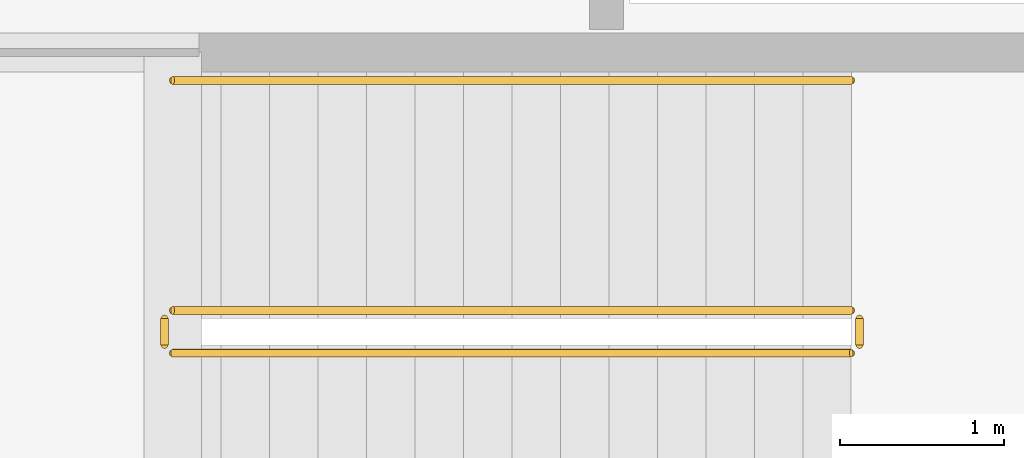
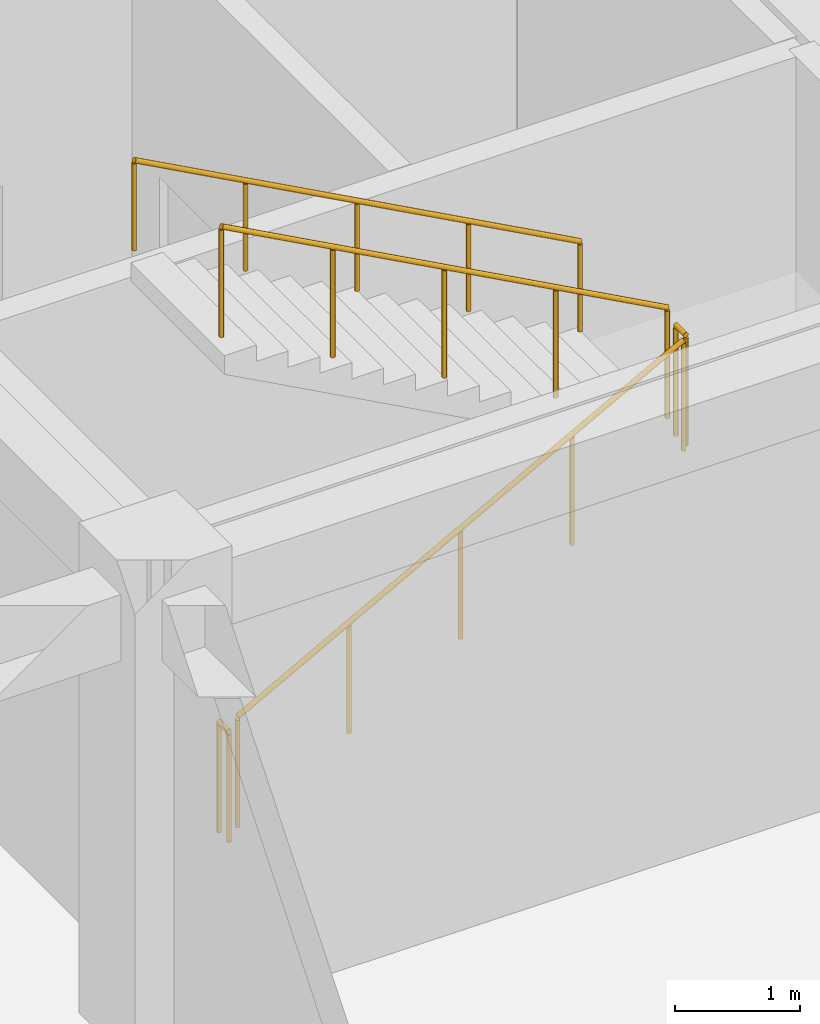
# One storey, part 121 of 138: 5 railings.
"""IFC4 building model written with IfcOpenShell, lengths in metres."""

from ifc_helpers import new_model, si_unit, direction, frame, origin, origin_2d, place, context, subcontext, project, spatial, circle, extrude, material, type_object, element, save


model = new_model("IFC4")

# Units and contexts
model_context = context("Model", 3, precision=1e-05, world=origin(), true_north=direction((0.0, 1.0)))
body_context = subcontext(model_context, "Body", "Model", "MODEL_VIEW")
ifc_project = project(units=[si_unit("LENGTHUNIT", "METRE"), si_unit("AREAUNIT", "SQUARE_METRE"), si_unit("VOLUMEUNIT", "CUBIC_METRE"), si_unit("PLANEANGLEUNIT", "RADIAN"), si_unit("MASSUNIT", "GRAM", prefix="KILO")], contexts=[model_context])

# Site, building, storey
site_placement = place(None, origin())
site = spatial("IfcSite", under=ifc_project, at=site_placement, CompositionType="ELEMENT")
building_placement = place(site_placement, origin())
building = spatial("IfcBuilding", under=site, at=building_placement, Name="Bramfleet General Hospital", CompositionType="ELEMENT")
storey_placement = place(building_placement, origin())
storey = spatial("IfcBuildingStorey", under=building, at=storey_placement, Name="L00", CompositionType="ELEMENT", Elevation=0.0)

# Railings
ifc_material_1 = material(Name="Powder-coated steel stair balustrade", Category="steel")
railing_type_1 = type_object("IfcRailingType", Name="RAIL-ST-GUARD", PredefinedType="GUARDRAIL", material=ifc_material_1)
railing_1_placement = place(storey_placement, frame((102.639892578125, 10.27001953125, 0.159912109375)))
element("IfcRailing", 1, at=railing_1_placement, inside=storey, type_object=railing_type_1, Name="L00 ST-C3 stair guard 1", PredefinedType="GUARDRAIL", context=body_context, shape_type="SweptSolid", body=[
    extrude(circle(Radius=0.02392578125, at=origin_2d()), frame((0.0, 0.0, 1.076171875), z_axis=(0.879038868435, 0.0, 0.476750110415), x_axis=(0.0, 1.0, 0.0)), (0.0, 0.0, 1.0), 4.698486328125),
    extrude(circle(Radius=0.02099609375, at=origin_2d()), origin(), (0.0, 0.0, 1.0), 1.052001953125),
    extrude(circle(Radius=0.02099609375, at=origin_2d()), frame((1.032470703125, 0.0, 0.56005859375)), (0.0, 0.0, 1.0), 1.052001953125),
    extrude(circle(Radius=0.02099609375, at=origin_2d()), frame((2.06494140625, 0.0, 1.1201171875)), (0.0, 0.0, 1.0), 1.052001953125),
    extrude(circle(Radius=0.02099609375, at=origin_2d()), frame((3.09765625, 0.0, 1.679931640625)), (0.0, 0.0, 1.0), 1.052001953125),
    extrude(circle(Radius=0.02099609375, at=origin_2d()), frame((4.130126953125, 0.0, 2.239990234375)), (0.0, 0.0, 1.0), 1.052001953125),
])
railing_2_placement = place(storey_placement, frame((106.820068359375, 10.320068359375, 2.39990234375)))
element("IfcRailing", 2, at=railing_2_placement, inside=storey, type_object=railing_type_1, Name="L00 ST-C3 stair guard 2", PredefinedType="GUARDRAIL", context=body_context, shape_type="SweptSolid", body=[
    extrude(circle(Radius=0.02392578125, at=origin_2d()), frame((0.0, 0.0, 1.076171875), z_axis=(0.0, 1.0, 0.0), x_axis=(-1.0, 0.0, 0.0)), (0.0, 0.0, 1.0), 0.159912109375),
    extrude(circle(Radius=0.02099609375, at=origin_2d()), origin(), (0.0, 0.0, 1.0), 1.052001953125),
    extrude(circle(Radius=0.02099609375, at=origin_2d()), frame((0.0, 0.159912109375, 0.0)), (0.0, 0.0, 1.0), 1.052001953125),
])
railing_3_placement = place(storey_placement, frame((106.77001953125, 10.530029296875, 2.56005859375)))
element("IfcRailing", 3, at=railing_3_placement, inside=storey, type_object=railing_type_1, Name="L00 ST-C3 stair guard 3", PredefinedType="GUARDRAIL", context=body_context, shape_type="SweptSolid", body=[
    extrude(circle(Radius=0.02392578125, at=origin_2d()), frame((0.0, 0.0, 1.076171875), z_axis=(-0.879038868435, 0.0, 0.476750110415), x_axis=(0.0, -1.0, 0.0)), (0.0, 0.0, 1.0), 4.698486328125),
    extrude(circle(Radius=0.02099609375, at=origin_2d()), origin(), (0.0, 0.0, 1.0), 1.052001953125),
    extrude(circle(Radius=0.02099609375, at=origin_2d()), frame((-1.032470703125, 0.0, 0.56005859375)), (0.0, 0.0, 1.0), 1.052001953125),
    extrude(circle(Radius=0.02099609375, at=origin_2d()), frame((-2.06494140625, 0.0, 1.1201171875)), (0.0, 0.0, 1.0), 1.052001953125),
    extrude(circle(Radius=0.02099609375, at=origin_2d()), frame((-3.09765625, 0.0, 1.679931640625)), (0.0, 0.0, 1.0), 1.052001953125),
    extrude(circle(Radius=0.02099609375, at=origin_2d()), frame((-4.130126953125, 0.0, 2.239990234375)), (0.0, 0.0, 1.0), 1.052001953125),
])
railing_4_placement = place(storey_placement, frame((102.590087890625, 10.320068359375, 0.0)))
element("IfcRailing", 4, at=railing_4_placement, inside=storey, type_object=railing_type_1, Name="L00 ST-C3 stair guard 4", PredefinedType="GUARDRAIL", context=body_context, shape_type="SweptSolid", body=[
    extrude(circle(Radius=0.02392578125, at=origin_2d()), frame((0.0, 0.0, 1.076171875), z_axis=(0.0, 1.0, 0.0), x_axis=(-1.0, 0.0, 0.0)), (0.0, 0.0, 1.0), 0.159912109375),
    extrude(circle(Radius=0.02099609375, at=origin_2d()), origin(), (0.0, 0.0, 1.0), 1.052001953125),
    extrude(circle(Radius=0.02099609375, at=origin_2d()), frame((0.0, 0.159912109375, 0.0)), (0.0, 0.0, 1.0), 1.052001953125),
])
ifc_material_2 = material(Name="Stainless steel 1.4301 stair handrail", Category="steel")
railing_type_2 = type_object("IfcRailingType", Name="RAIL-ST-HND", PredefinedType="HANDRAIL", material=ifc_material_2)
railing_5_placement = place(storey_placement, frame((106.77001953125, 11.929931640625, 2.56005859375)))
element("IfcRailing", 5, at=railing_5_placement, inside=storey, type_object=railing_type_2, Name="L00 ST-C3 stair handrail 2", PredefinedType="HANDRAIL", context=body_context, shape_type="SweptSolid", body=[
    extrude(circle(Radius=0.02392578125, at=origin_2d()), frame((0.0, 0.0, 0.8759765625), z_axis=(-0.879038868435, 0.0, 0.476750110415), x_axis=(0.0, -1.0, 0.0)), (0.0, 0.0, 1.0), 4.698486328125),
    extrude(circle(Radius=0.02099609375, at=origin_2d()), origin(), (0.0, 0.0, 1.0), 0.851806640625),
    extrude(circle(Radius=0.02099609375, at=origin_2d()), frame((-1.032470703125, 0.0, 0.56005859375)), (0.0, 0.0, 1.0), 0.851806640625),
    extrude(circle(Radius=0.02099609375, at=origin_2d()), frame((-2.06494140625, 0.0, 1.1201171875)), (0.0, 0.0, 1.0), 0.851806640625),
    extrude(circle(Radius=0.02099609375, at=origin_2d()), frame((-3.09765625, 0.0, 1.679931640625)), (0.0, 0.0, 1.0), 0.851806640625),
    extrude(circle(Radius=0.02099609375, at=origin_2d()), frame((-4.130126953125, 0.0, 2.239990234375)), (0.0, 0.0, 1.0), 0.851806640625),
])

save(model, "model.ifc")
